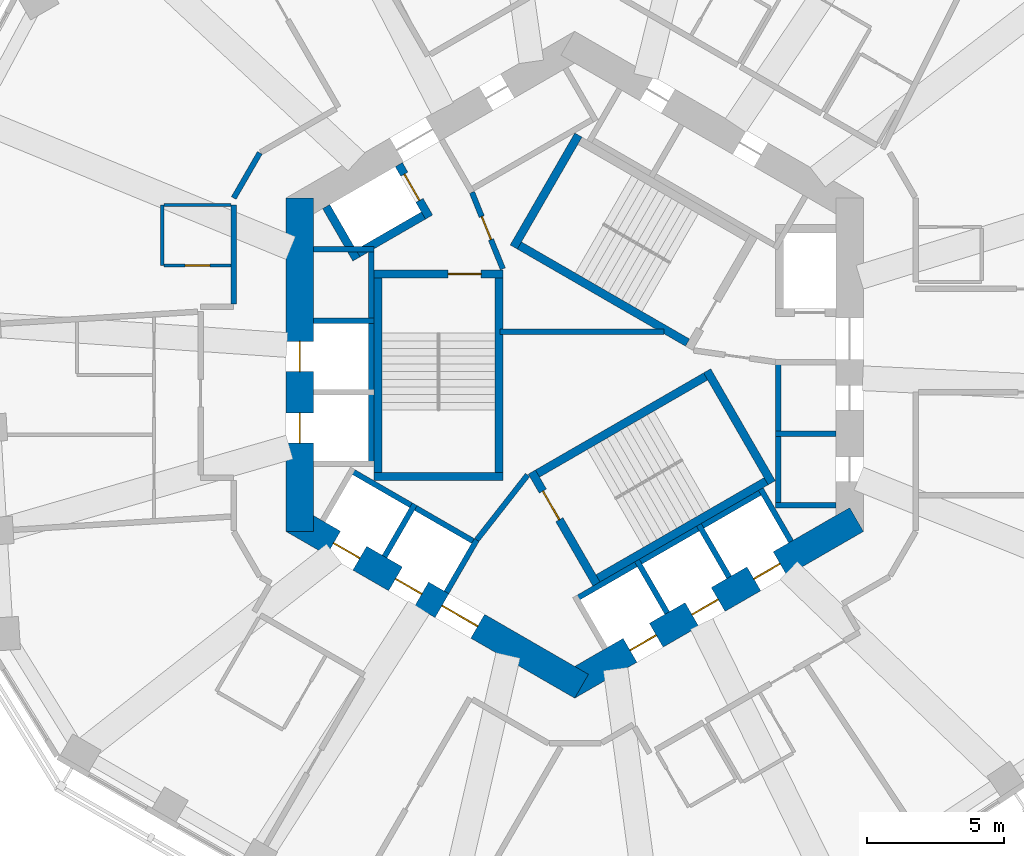
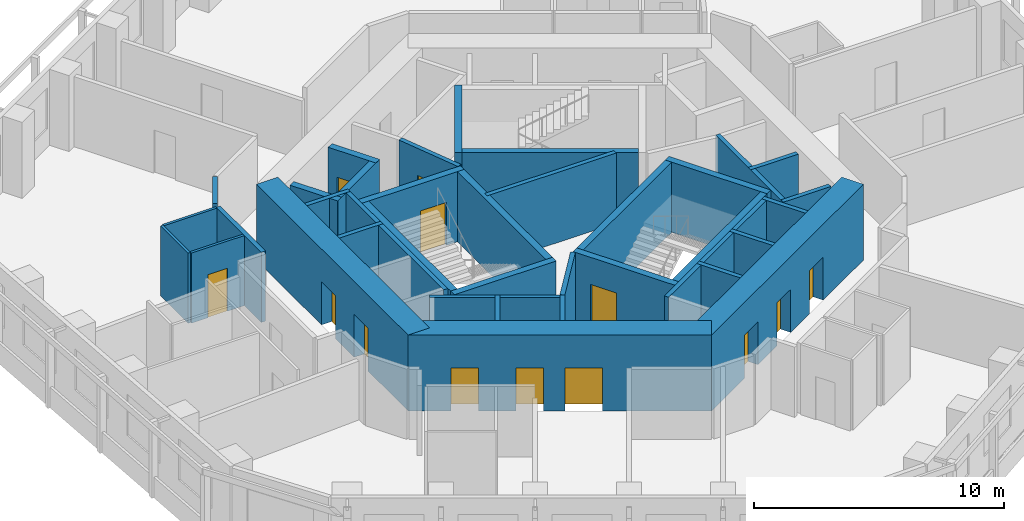
# One storey, part 5 of 11: 37 walls, 13 doors, 13 openings.
"""IFC4 building model written with IfcOpenShell, lengths in metres."""

from ifc_helpers import new_model, si_unit, direction, frame, frame_2d, origin, place, context, subcontext, project, spatial, rectangle, extrude, material, layer, layer_set, type_object, element, fill, save


model = new_model("IFC4")

# Units and contexts
model_context = context("Model", 3, precision=1e-05, world=origin(), true_north=direction((0.0, 1.0)))
body_context = subcontext(model_context, "Body", "Model", "MODEL_VIEW")
ifc_project = project(units=[si_unit("LENGTHUNIT", "METRE"), si_unit("AREAUNIT", "SQUARE_METRE"), si_unit("VOLUMEUNIT", "CUBIC_METRE"), si_unit("PLANEANGLEUNIT", "RADIAN"), si_unit("MASSUNIT", "GRAM", prefix="KILO")], contexts=[model_context])

# Site, building, storey
site_placement = place(None, origin())
site = spatial("IfcSite", under=ifc_project, at=site_placement, CompositionType="ELEMENT")
building_placement = place(site_placement, origin())
building = spatial("IfcBuilding", under=site, at=building_placement, Name="Vanh Sen Convention Tower", CompositionType="ELEMENT")
storey_placement = place(building_placement, frame((0.0, 0.0, 176.199951171875)))
storey = spatial("IfcBuildingStorey", under=building, at=storey_placement, Name="L43", CompositionType="ELEMENT", Elevation=176.199951171875)

# Walls
ifc_material_1 = material(Name="Moisture-resistant gypsum board on steel studs", Category="steel")
ifc_layer_1 = layer(ifc_material_1, 0.1201171875)
ifc_layer_set_1 = layer_set([ifc_layer_1], Name="Moisture-resistant gypsum board on steel studs")
wall_type_1 = type_object("IfcWallType", Name="Bathroom partition 120", PredefinedType="PARTITIONING", material=ifc_layer_set_1)
wall_1_placement = place(storey_placement, frame((-15.0, 3.6123046875, 0.0), z_axis=(0.0, 0.0, 1.0), x_axis=(0.0, 1.0, 0.0)))
element("IfcWall", 1, at=wall_1_placement, inside=storey, type_object=wall_type_1, Name="Bathroom partition 120", PredefinedType="PARTITIONING", context=body_context, shape_type="SweptSolid", body=[
    extrude(rectangle(XDim=2.199951171875, YDim=0.1201171875, at=frame_2d((1.10009765625, 0.0))), origin(), (0.0, 0.0, 1.0), 3.420166015625),
])
wall_2_placement = place(storey_placement, frame((-14.93994140625, 5.812255859375, 0.0), z_axis=(0.0, 0.0, 1.0), x_axis=(1.0, 0.0, 0.0)))
element("IfcWall", 2, at=wall_2_placement, inside=storey, type_object=wall_type_1, Name="Bathroom partition 120", PredefinedType="PARTITIONING", context=body_context, shape_type="SweptSolid", body=[
    extrude(rectangle(XDim=2.43994140625, YDim=0.1201171875, at=frame_2d((1.219970703125, 0.0))), origin(), (0.0, 0.0, 1.0), 3.420166015625),
])

# Wall, opening, door
wall_3_placement = place(storey_placement, frame((-12.5, 3.6123046875, 0.0), z_axis=(0.0, 0.0, 1.0), x_axis=(-1.0, 0.0, 0.0)))
wall_3 = element("IfcWall", 3, at=wall_3_placement, inside=storey, type_object=wall_type_1, Name="Bathroom partition 120", PredefinedType="PARTITIONING", context=body_context, shape_type="SweptSolid", body=[
    extrude(rectangle(XDim=2.43994140625, YDim=0.1201171875, at=frame_2d((1.219970703125, 0.0))), origin(), (0.0, 0.0, 1.0), 3.420166015625),
])
opening_1_placement = place(wall_3_placement, frame((0.77001953125, 0.0, 0.0)))
opening_1 = element("IfcOpeningElement", 4, at=opening_1_placement, cuts=wall_3, Name="Opening D41108", PredefinedType="OPENING", context=body_context, shape_type="SweptSolid", body=[
    extrude(rectangle(XDim=0.89990234375, YDim=2.10009765625, at=frame_2d((0.449951171875, 1.050048828125))), frame((0.0, 0.070068359375, 0.0), z_axis=(0.0, -1.0, 0.0), x_axis=(1.0, 0.0, 0.0)), (0.0, 0.0, 1.0), 0.14013671875),
])
ifc_material_2 = material(Name="Laminate door in steel frame", Category="steel")
door_type_1 = type_object("IfcDoorType", Name="Room internal door 900", OperationType="SINGLE_SWING_LEFT", PredefinedType="DOOR", material=ifc_material_2)
door_1_placement = place(opening_1_placement, origin())
door_1 = element("IfcDoor", 5, at=door_1_placement, inside=storey, type_object=door_type_1, Name="Internal room door D41108", OperationType="SINGLE_SWING_LEFT", OverallHeight=2.10009765625, OverallWidth=0.89990234375, PredefinedType="DOOR", context=body_context, shape_type="SweptSolid", body=[
    extrude(rectangle(XDim=0.89990234375, YDim=2.10009765625, at=frame_2d((0.449951171875, 1.050048828125))), frame((0.0, 0.02490234375, 0.0), z_axis=(0.0, -1.0, 0.0), x_axis=(1.0, 0.0, 0.0)), (0.0, 0.0, 1.0), 0.050048828125),
])
fill(opening_1, door_1)

# Wall, openings, doors
ifc_material_3 = material(Name="Concrete C80/95", Category="concrete")
ifc_layer_2 = layer(ifc_material_3, 1.0)
ifc_layer_set_2 = layer_set([ifc_layer_2], Name="Concrete C80/95")
wall_type_2 = type_object("IfcWallType", Name="Core outer wall 1000 C80/95", PredefinedType="SHEAR", material=ifc_layer_set_2)
wall_4_placement = place(storey_placement, frame((-10.0, 6.062255859375, 0.0), z_axis=(0.0, 0.0, 1.0), x_axis=(0.0, -1.0, 0.0)))
wall_4 = element("IfcWall", 6, at=wall_4_placement, inside=storey, type_object=wall_type_2, Name="Core wall face W L43", PredefinedType="SHEAR", context=body_context, shape_type="SweptSolid", body=[
    extrude(rectangle(XDim=12.12451171875, YDim=1.0, at=frame_2d((6.062255859375, 0.0))), origin(), (0.0, 0.0, 1.0), 3.699951171875),
])
opening_2_placement = place(wall_4_placement, frame((5.212158203125, 0.0, 0.0)))
opening_2 = element("IfcOpeningElement", 7, at=opening_2_placement, cuts=wall_4, Name="Opening LD-HR1", PredefinedType="OPENING", context=body_context, shape_type="SweptSolid", body=[
    extrude(rectangle(XDim=1.10009765625, YDim=2.10009765625, at=frame_2d((0.550048828125, 1.050048828125))), frame((0.0, 0.510009765625, 0.0), z_axis=(0.0, -1.0, 0.0), x_axis=(1.0, 0.0, 0.0)), (0.0, 0.0, 1.0), 1.02001953125),
])
opening_3_placement = place(wall_4_placement, frame((7.812255859375, 0.0, 0.0)))
opening_3 = element("IfcOpeningElement", 8, at=opening_3_placement, cuts=wall_4, Name="Opening LD-HR2", PredefinedType="OPENING", context=body_context, shape_type="SweptSolid", body=[
    extrude(rectangle(XDim=1.10009765625, YDim=2.10009765625, at=frame_2d((0.550048828125, 1.050048828125))), frame((0.0, 0.510009765625, 0.0), z_axis=(0.0, -1.0, 0.0), x_axis=(1.0, 0.0, 0.0)), (0.0, 0.0, 1.0), 1.02001953125),
])
ifc_material_4 = material(Name="Stainless steel", Category="steel")
door_type_2 = type_object("IfcDoorType", Name="Lift landing door 1100", OperationType="DOUBLE_DOOR_SLIDING", PredefinedType="DOOR", material=ifc_material_4)
door_2_placement = place(opening_2_placement, origin())
door_2 = element("IfcDoor", 9, at=door_2_placement, inside=storey, type_object=door_type_2, Name="Lift HR1 landing door LD-HR1", OperationType="DOUBLE_DOOR_SLIDING", OverallHeight=2.10009765625, OverallWidth=1.10009765625, PredefinedType="DOOR", context=body_context, shape_type="SweptSolid", body=[
    extrude(rectangle(XDim=1.10009765625, YDim=2.10009765625, at=frame_2d((0.550048828125, 1.050048828125))), frame((0.0, 0.02490234375, 0.0), z_axis=(0.0, -1.0, 0.0), x_axis=(1.0, 0.0, 0.0)), (0.0, 0.0, 1.0), 0.050048828125),
])
fill(opening_2, door_2)
door_3_placement = place(opening_3_placement, origin())
door_3 = element("IfcDoor", 10, at=door_3_placement, inside=storey, type_object=door_type_2, Name="Lift HR2 landing door LD-HR2", OperationType="DOUBLE_DOOR_SLIDING", OverallHeight=2.10009765625, OverallWidth=1.10009765625, PredefinedType="DOOR", context=body_context, shape_type="SweptSolid", body=[
    extrude(rectangle(XDim=1.10009765625, YDim=2.10009765625, at=frame_2d((0.550048828125, 1.050048828125))), frame((0.0, 0.02490234375, 0.0), z_axis=(0.0, -1.0, 0.0), x_axis=(1.0, 0.0, 0.0)), (0.0, 0.0, 1.0), 0.050048828125),
])
fill(opening_3, door_3)

wall_5_placement = place(storey_placement, frame((-10.25, -5.629150390625, 0.0), z_axis=(0.0, 0.0, 1.0), x_axis=(0.866022616891, -0.50000482701, 0.0)))
wall_5 = element("IfcWall", 11, at=wall_5_placement, inside=storey, type_object=wall_type_2, Name="Core wall face SW L43", PredefinedType="SHEAR", context=body_context, shape_type="SweptSolid", body=[
    extrude(rectangle(XDim=12.12451171875, YDim=1.0, at=frame_2d((6.062255859375, 0.0))), origin(), (0.0, 0.0, 1.0), 3.699951171875),
])
opening_4_placement = place(wall_5_placement, frame((6.26220703125, 0.0, 0.0)))
opening_4 = element("IfcOpeningElement", 12, at=opening_4_placement, cuts=wall_5, Name="Opening D41003", PredefinedType="OPENING", context=body_context, shape_type="SweptSolid", body=[
    extrude(rectangle(XDim=1.5, YDim=2.10009765625, at=frame_2d((0.75, 1.050048828125))), frame((0.0, 0.510009765625, 0.0), z_axis=(0.0, -1.0, 0.0), x_axis=(1.0, 0.0, 0.0)), (0.0, 0.0, 1.0), 1.02001953125),
])
opening_5_placement = place(wall_5_placement, frame((1.712158203125, 0.0, 0.0)))
opening_5 = element("IfcOpeningElement", 13, at=opening_5_placement, cuts=wall_5, Name="Opening LD-HR3", PredefinedType="OPENING", context=body_context, shape_type="SweptSolid", body=[
    extrude(rectangle(XDim=1.10009765625, YDim=2.10009765625, at=frame_2d((0.550048828125, 1.050048828125))), frame((0.0, 0.510009765625, 0.0), z_axis=(0.0, -1.0, 0.0), x_axis=(1.0, 0.0, 0.0)), (0.0, 0.0, 1.0), 1.02001953125),
])
opening_6_placement = place(wall_5_placement, frame((4.312255859375, 0.0, 0.0)))
opening_6 = element("IfcOpeningElement", 14, at=opening_6_placement, cuts=wall_5, Name="Opening LD-HR4", PredefinedType="OPENING", context=body_context, shape_type="SweptSolid", body=[
    extrude(rectangle(XDim=1.10009765625, YDim=2.10009765625, at=frame_2d((0.550048828125, 1.050048828125))), frame((0.0, 0.510009765625, 0.0), z_axis=(0.0, -1.0, 0.0), x_axis=(1.0, 0.0, 0.0)), (0.0, 0.0, 1.0), 1.02001953125),
])
door_4_placement = place(opening_5_placement, origin())
door_4 = element("IfcDoor", 15, at=door_4_placement, inside=storey, type_object=door_type_2, Name="Lift HR3 landing door LD-HR3", OperationType="DOUBLE_DOOR_SLIDING", OverallHeight=2.10009765625, OverallWidth=1.10009765625, PredefinedType="DOOR", context=body_context, shape_type="SweptSolid", body=[
    extrude(rectangle(XDim=1.10009765625, YDim=2.10009765625, at=frame_2d((0.550048828125, 1.050048828125))), frame((0.0, 0.02490234375, 0.0), z_axis=(0.0, -1.0, 0.0), x_axis=(1.0, 0.0, 0.0)), (0.0, 0.0, 1.0), 0.050048828125),
])
fill(opening_5, door_4)
door_5_placement = place(opening_6_placement, origin())
door_5 = element("IfcDoor", 16, at=door_5_placement, inside=storey, type_object=door_type_2, Name="Lift HR4 landing door LD-HR4", OperationType="DOUBLE_DOOR_SLIDING", OverallHeight=2.10009765625, OverallWidth=1.10009765625, PredefinedType="DOOR", context=body_context, shape_type="SweptSolid", body=[
    extrude(rectangle(XDim=1.10009765625, YDim=2.10009765625, at=frame_2d((0.550048828125, 1.050048828125))), frame((0.0, 0.02490234375, 0.0), z_axis=(0.0, -1.0, 0.0), x_axis=(1.0, 0.0, 0.0)), (0.0, 0.0, 1.0), 0.050048828125),
])
fill(opening_6, door_5)
ifc_material_5 = material(Name="Steel S355", Category="steel")
door_type_3 = type_object("IfcDoorType", Name="Stair lobby door 1500", OperationType="DOUBLE_DOOR_SINGLE_SWING", PredefinedType="DOOR", material=ifc_material_5)
door_6_placement = place(opening_4_placement, origin())
door_6 = element("IfcDoor", 17, at=door_6_placement, inside=storey, type_object=door_type_3, Name="Stair lobby door D41003", OperationType="DOUBLE_DOOR_SINGLE_SWING", OverallHeight=2.10009765625, OverallWidth=1.5, PredefinedType="DOOR", context=body_context, shape_type="SweptSolid", body=[
    extrude(rectangle(XDim=1.5, YDim=2.10009765625, at=frame_2d((0.75, 1.050048828125))), frame((0.0, 0.02490234375, 0.0), z_axis=(0.0, -1.0, 0.0), x_axis=(1.0, 0.0, 0.0)), (0.0, 0.0, 1.0), 0.050048828125),
])
fill(opening_4, door_6)

wall_6_placement = place(storey_placement, frame((-0.25, -11.69140625, 0.0), z_axis=(0.0, 0.0, 1.0), x_axis=(0.866022616891, 0.50000482701, 0.0)))
wall_6 = element("IfcWall", 18, at=wall_6_placement, inside=storey, type_object=wall_type_2, Name="Core wall face SE L43", PredefinedType="SHEAR", context=body_context, shape_type="SweptSolid", body=[
    extrude(rectangle(XDim=12.12451171875, YDim=1.0, at=frame_2d((6.062255859375, 0.0))), origin(), (0.0, 0.0, 1.0), 3.699951171875),
])
opening_7_placement = place(wall_6_placement, frame((2.6123046875, 0.0, 0.0)))
opening_7 = element("IfcOpeningElement", 19, at=opening_7_placement, cuts=wall_6, Name="Opening LD-HR5", PredefinedType="OPENING", context=body_context, shape_type="SweptSolid", body=[
    extrude(rectangle(XDim=1.10009765625, YDim=2.10009765625, at=frame_2d((0.550048828125, 1.050048828125))), frame((0.0, 0.510009765625, 0.0), z_axis=(0.0, -1.0, 0.0), x_axis=(1.0, 0.0, 0.0)), (0.0, 0.0, 1.0), 1.02001953125),
])
opening_8_placement = place(wall_6_placement, frame((5.212158203125, 0.0, 0.0)))
opening_8 = element("IfcOpeningElement", 20, at=opening_8_placement, cuts=wall_6, Name="Opening LD-HR6", PredefinedType="OPENING", context=body_context, shape_type="SweptSolid", body=[
    extrude(rectangle(XDim=1.10009765625, YDim=2.10009765625, at=frame_2d((0.550048828125, 1.050048828125))), frame((0.0, 0.510009765625, 0.0), z_axis=(0.0, -1.0, 0.0), x_axis=(1.0, 0.0, 0.0)), (0.0, 0.0, 1.0), 1.02001953125),
])
opening_9_placement = place(wall_6_placement, frame((7.812255859375, 0.0, 0.0)))
opening_9 = element("IfcOpeningElement", 21, at=opening_9_placement, cuts=wall_6, Name="Opening LD-SV1", PredefinedType="OPENING", context=body_context, shape_type="SweptSolid", body=[
    extrude(rectangle(XDim=1.10009765625, YDim=2.10009765625, at=frame_2d((0.550048828125, 1.050048828125))), frame((0.0, 0.510009765625, 0.0), z_axis=(0.0, -1.0, 0.0), x_axis=(1.0, 0.0, 0.0)), (0.0, 0.0, 1.0), 1.02001953125),
])
door_7_placement = place(opening_7_placement, origin())
door_7 = element("IfcDoor", 22, at=door_7_placement, inside=storey, type_object=door_type_2, Name="Lift HR5 landing door LD-HR5", OperationType="DOUBLE_DOOR_SLIDING", OverallHeight=2.10009765625, OverallWidth=1.10009765625, PredefinedType="DOOR", context=body_context, shape_type="SweptSolid", body=[
    extrude(rectangle(XDim=1.10009765625, YDim=2.10009765625, at=frame_2d((0.550048828125, 1.050048828125))), frame((0.0, 0.02490234375, 0.0), z_axis=(0.0, -1.0, 0.0), x_axis=(1.0, 0.0, 0.0)), (0.0, 0.0, 1.0), 0.050048828125),
])
fill(opening_7, door_7)
door_8_placement = place(opening_8_placement, origin())
door_8 = element("IfcDoor", 23, at=door_8_placement, inside=storey, type_object=door_type_2, Name="Lift HR6 landing door LD-HR6", OperationType="DOUBLE_DOOR_SLIDING", OverallHeight=2.10009765625, OverallWidth=1.10009765625, PredefinedType="DOOR", context=body_context, shape_type="SweptSolid", body=[
    extrude(rectangle(XDim=1.10009765625, YDim=2.10009765625, at=frame_2d((0.550048828125, 1.050048828125))), frame((0.0, 0.02490234375, 0.0), z_axis=(0.0, -1.0, 0.0), x_axis=(1.0, 0.0, 0.0)), (0.0, 0.0, 1.0), 0.050048828125),
])
fill(opening_8, door_8)
door_9_placement = place(opening_9_placement, origin())
door_9 = element("IfcDoor", 24, at=door_9_placement, inside=storey, type_object=door_type_2, Name="Lift SV1 landing door LD-SV1", OperationType="DOUBLE_DOOR_SLIDING", OverallHeight=2.10009765625, OverallWidth=1.10009765625, PredefinedType="DOOR", context=body_context, shape_type="SweptSolid", body=[
    extrude(rectangle(XDim=1.10009765625, YDim=2.10009765625, at=frame_2d((0.550048828125, 1.050048828125))), frame((0.0, 0.02490234375, 0.0), z_axis=(0.0, -1.0, 0.0), x_axis=(1.0, 0.0, 0.0)), (0.0, 0.0, 1.0), 0.050048828125),
])
fill(opening_9, door_9)

# Walls
ifc_material_6 = material(Name="Masonry blockwork", Category="masonry")
ifc_layer_3 = layer(ifc_material_6, 0.199951171875)
ifc_layer_set_3 = layer_set([ifc_layer_3], Name="Masonry blockwork")
wall_type_3 = type_object("IfcWallType", Name="Core partition 200", PredefinedType="PARTITIONING", material=ifc_layer_set_3)
wall_7_placement = place(storey_placement, frame((-2.719970703125, 1.199951171875, 0.0), z_axis=(0.0, 0.0, 1.0), x_axis=(1.0, 0.0, 0.0)))
element("IfcWall", 25, at=wall_7_placement, inside=storey, type_object=wall_type_3, Name="Core partition L43", PredefinedType="PARTITIONING", context=body_context, shape_type="SweptSolid", body=[
    extrude(rectangle(XDim=5.96142578125, YDim=0.199951171875, at=frame_2d((2.980712890625, 0.0))), origin(), (0.0, 0.0, 1.0), 3.420166015625),
])
ifc_material_7 = material(Name="Gypsum board on steel studs with mineral wool", Category="steel")
ifc_layer_4 = layer(ifc_material_7, 0.199951171875)
ifc_layer_set_4 = layer_set([ifc_layer_4], Name="Gypsum board on steel studs with mineral wool")
wall_type_4 = type_object("IfcWallType", Name="Corridor partition wall 200", PredefinedType="PARTITIONING", material=ifc_layer_set_4)
wall_8_placement = place(storey_placement, frame((-12.39990234375, 5.812255859375, 0.0), z_axis=(0.0, 0.0, 1.0), x_axis=(0.0, -1.0, 0.0)))
element("IfcWall", 26, at=wall_8_placement, inside=storey, type_object=wall_type_4, Name="Corridor partition wall 200", PredefinedType="PARTITIONING", context=body_context, shape_type="SweptSolid", body=[
    extrude(rectangle(XDim=3.611328125, YDim=0.199951171875, at=frame_2d((1.8056640625, 0.0))), origin(), (0.0, 0.0, 1.0), 3.420166015625),
])
wall_9_placement = place(storey_placement, frame((-11.449951171875, 7.70751953125, 0.0), z_axis=(0.0, 0.0, 1.0), x_axis=(-0.500022797313, -0.86601224135, 0.0)))
element("IfcWall", 27, at=wall_9_placement, inside=storey, type_object=wall_type_4, Name="Corridor partition wall 200", PredefinedType="PARTITIONING", context=body_context, shape_type="SweptSolid", body=[
    extrude(rectangle(XDim=1.89990234375, YDim=0.199951171875, at=frame_2d((0.949951171875, 0.0))), origin(), (0.0, 0.0, 1.0), 3.420166015625),
])

# Wall, opening, door
ifc_material_8 = material(Name="Concrete C60/75", Category="concrete")
ifc_layer_5 = layer(ifc_material_8, 0.300048828125)
ifc_layer_set_5 = layer_set([ifc_layer_5], Name="Concrete C60/75")
wall_type_5 = type_object("IfcWallType", Name="Fire-fighting lift shaft wall 300", PredefinedType="SHEAR", material=ifc_layer_set_5)
wall_10_placement = place(storey_placement, frame((-5.29541015625, 5.3720703125, 0.0), z_axis=(0.0, 0.0, 1.0), x_axis=(-0.500077893725, 0.86598042715, 0.0)))
wall_10 = element("IfcWall", 28, at=wall_10_placement, inside=storey, type_object=wall_type_5, Name="Fire-fighting lift shaft wall L43", PredefinedType="SHEAR", context=body_context, shape_type="SweptSolid", body=[
    extrude(rectangle(XDim=2.199951171875, YDim=0.300048828125, at=frame_2d((1.10009765625, 0.0))), origin(), (0.0, 0.0, 1.0), 3.420166015625),
])
opening_10_placement = place(wall_10_placement, frame((0.699951171875, 0.0, 0.0)))
opening_10 = element("IfcOpeningElement", 29, at=opening_10_placement, cuts=wall_10, Name="Opening LD-FF2", PredefinedType="OPENING", context=body_context, shape_type="SweptSolid", body=[
    extrude(rectangle(XDim=1.10009765625, YDim=2.10009765625, at=frame_2d((0.550048828125, 1.050048828125))), frame((0.0, 0.159912109375, 0.0), z_axis=(0.0, -1.0, 0.0), x_axis=(1.0, 0.0, 0.0)), (0.0, 0.0, 1.0), 0.320068359375),
])
door_type_4 = type_object("IfcDoorType", Name="Fire-fighting lift landing door 1100", OperationType="DOUBLE_DOOR_SLIDING", PredefinedType="DOOR", material=ifc_material_4)
door_10_placement = place(opening_10_placement, origin())
door_10 = element("IfcDoor", 30, at=door_10_placement, inside=storey, type_object=door_type_4, Name="Lift FF2 landing door LD-FF2", OperationType="DOUBLE_DOOR_SLIDING", OverallHeight=2.10009765625, OverallWidth=1.10009765625, PredefinedType="DOOR", context=body_context, shape_type="SweptSolid", body=[
    extrude(rectangle(XDim=1.10009765625, YDim=2.10009765625, at=frame_2d((0.550048828125, 1.050048828125))), frame((0.0, 0.02490234375, 0.0), z_axis=(0.0, -1.0, 0.0), x_axis=(1.0, 0.0, 0.0)), (0.0, 0.0, 1.0), 0.050048828125),
])
fill(opening_10, door_10)

# Walls
wall_11_placement = place(storey_placement, frame((-5.240478515625, 5.576904296875, 0.0), z_axis=(0.0, 0.0, 1.0), x_axis=(-0.866014461049, -0.500018952895, 0.0)))
element("IfcWall", 31, at=wall_11_placement, inside=storey, type_object=wall_type_5, Name="Fire-fighting lift shaft wall L43", PredefinedType="SHEAR", context=body_context, shape_type="SweptSolid", body=[
    extrude(rectangle(XDim=3.349853515625, YDim=0.300048828125, at=frame_2d((1.6748046875, 0.0))), origin(), (0.0, 0.0, 1.0), 3.420166015625),
])
wall_12_placement = place(storey_placement, frame((-7.936767578125, 3.846923828125, 0.0), z_axis=(0.0, 0.0, 1.0), x_axis=(-0.50002983664, 0.866008176907, 0.0)))
element("IfcWall", 32, at=wall_12_placement, inside=storey, type_object=wall_type_5, Name="Fire-fighting lift shaft wall L43", PredefinedType="SHEAR", context=body_context, shape_type="SweptSolid", body=[
    extrude(rectangle(XDim=2.199951171875, YDim=0.300048828125, at=frame_2d((1.10009765625, 0.0))), origin(), (0.0, 0.0, 1.0), 3.420166015625),
])
ifc_material_9 = material(Name="Concrete C40/50", Category="concrete")
ifc_layer_6 = layer(ifc_material_9, 0.199951171875)
ifc_layer_set_6 = layer_set([ifc_layer_6], Name="Concrete C40/50")
wall_type_6 = type_object("IfcWallType", Name="Lift shaft wall 200", PredefinedType="PARTITIONING", material=ifc_layer_set_6)
wall_13_placement = place(storey_placement, frame((7.39990234375, -5.199951171875, 0.0), z_axis=(0.0, 0.0, 1.0), x_axis=(0.0, 1.0, 0.0)))
element("IfcWall", 33, at=wall_13_placement, inside=storey, type_object=wall_type_6, Name="Lift shaft wall L43", PredefinedType="PARTITIONING", context=body_context, shape_type="SweptSolid", body=[
    extrude(rectangle(XDim=5.39990234375, YDim=0.199951171875, at=frame_2d((2.699951171875, 0.0))), origin(), (0.0, 0.0, 1.0), 3.420166015625),
])
for number, where, z_axis, x_axis, name in (
    (34, (7.300048828125, -5.10009765625, 0.0), (0.0, 0.0, 1.0), (1.0, 0.0, 0.0), "Lift shaft wall L43"),
    (35, (7.300048828125, -2.5, 0.0), (0.0, 0.0, 1.0), (1.0, 0.0, 0.0), "Lift shaft wall L43"),
):
    element("IfcWall", number, at=place(storey_placement, frame(where, z_axis=z_axis, x_axis=x_axis)), inside=storey, type_object=wall_type_6, Name=name, PredefinedType="PARTITIONING", context=body_context, shape_type="SweptSolid", body=[
        extrude(rectangle(XDim=2.199951171875, YDim=0.199951171875, at=frame_2d((1.10009765625, 0.0))), origin(), (0.0, 0.0, 1.0), 3.420166015625),
    ])
wall_14_placement = place(storey_placement, frame((-7.39990234375, 4.300048828125, 0.0), z_axis=(0.0, 0.0, 1.0), x_axis=(0.0, -1.0, 0.0)))
element("IfcWall", 36, at=wall_14_placement, inside=storey, type_object=wall_type_6, Name="Lift shaft wall L43", PredefinedType="PARTITIONING", context=body_context, shape_type="SweptSolid", body=[
    extrude(rectangle(XDim=8.0, YDim=0.199951171875, at=frame_2d((4.0, 0.0))), origin(), (0.0, 0.0, 1.0), 3.420166015625),
])
for number, where, z_axis, x_axis, name in (
    (37, (-7.300048828125, 4.199951171875, 0.0), (0.0, 0.0, 1.0), (-1.0, 0.0, 0.0), "Lift shaft wall L43"),
    (38, (-7.300048828125, 1.60009765625, 0.0), (0.0, 0.0, 1.0), (-1.0, 0.0, 0.0), "Lift shaft wall L43"),
):
    element("IfcWall", number, at=place(storey_placement, frame(where, z_axis=z_axis, x_axis=x_axis)), inside=storey, type_object=wall_type_6, Name=name, PredefinedType="PARTITIONING", context=body_context, shape_type="SweptSolid", body=[
        extrude(rectangle(XDim=2.199951171875, YDim=0.199951171875, at=frame_2d((1.10009765625, 0.0))), origin(), (0.0, 0.0, 1.0), 3.420166015625),
    ])
wall_15_placement = place(storey_placement, frame((-8.203369140625, -3.80859375, 0.0), z_axis=(0.0, 0.0, 1.0), x_axis=(0.866028230842, -0.499995103361, 0.0)))
element("IfcWall", 39, at=wall_15_placement, inside=storey, type_object=wall_type_6, Name="Lift shaft wall L43", PredefinedType="PARTITIONING", context=body_context, shape_type="SweptSolid", body=[
    extrude(rectangle(XDim=5.39990234375, YDim=0.199951171875, at=frame_2d((2.699951171875, 0.0))), origin(), (0.0, 0.0, 1.0), 3.420166015625),
])
wall_16_placement = place(storey_placement, frame((-5.815185546875, -5.072021484375, 0.0), z_axis=(0.0, 0.0, 1.0), x_axis=(-0.499946605688, -0.86605622881, 0.0)))
element("IfcWall", 40, at=wall_16_placement, inside=storey, type_object=wall_type_6, Name="Lift shaft wall L43", PredefinedType="PARTITIONING", context=body_context, shape_type="SweptSolid", body=[
    extrude(rectangle(XDim=2.199951171875, YDim=0.199951171875, at=frame_2d((1.10009765625, 0.0))), origin(), (0.0, 0.0, 1.0), 3.420166015625),
])
wall_17_placement = place(storey_placement, frame((-3.5634765625, -6.3720703125, 0.0), z_axis=(0.0, 0.0, 1.0), x_axis=(-0.499994660107, -0.866028486751, 0.0)))
element("IfcWall", 41, at=wall_17_placement, inside=storey, type_object=wall_type_6, Name="Lift shaft wall L43", PredefinedType="PARTITIONING", context=body_context, shape_type="SweptSolid", body=[
    extrude(rectangle(XDim=2.19970703125, YDim=0.199951171875, at=frame_2d((1.099853515625, 0.0))), origin(), (0.0, 0.0, 1.0), 3.420166015625),
])
wall_18_placement = place(storey_placement, frame((-0.02392578125, -8.55859375, 0.0), z_axis=(0.0, 0.0, 1.0), x_axis=(0.866026010844, 0.49999894854, 0.0)))
element("IfcWall", 42, at=wall_18_placement, inside=storey, type_object=wall_type_6, Name="Lift shaft wall L43", PredefinedType="PARTITIONING", context=body_context, shape_type="SweptSolid", body=[
    extrude(rectangle(XDim=8.0, YDim=0.199951171875, at=frame_2d((4.0, 0.0))), origin(), (0.0, 0.0, 1.0), 3.420166015625),
])
for number, where, z_axis, x_axis, name in (
    (43, (2.264404296875, -7.1220703125, 0.0), (0.0, 0.0, 1.0), (0.500077893725, -0.86598042715, 0.0), "Lift shaft wall L43"),
    (44, (4.51611328125, -5.822021484375, 0.0), (0.0, 0.0, 1.0), (0.499946605688, -0.86605622881, 0.0), "Lift shaft wall L43"),
    (45, (6.767578125, -4.52197265625, 0.0), (0.0, 0.0, 1.0), (0.50002983664, -0.866008176907, 0.0), "Lift shaft wall L43"),
):
    element("IfcWall", number, at=place(storey_placement, frame(where, z_axis=z_axis, x_axis=x_axis)), inside=storey, type_object=wall_type_6, Name=name, PredefinedType="PARTITIONING", context=body_context, shape_type="SweptSolid", body=[
        extrude(rectangle(XDim=2.199951171875, YDim=0.199951171875, at=frame_2d((1.10009765625, 0.0))), origin(), (0.0, 0.0, 1.0), 3.420166015625),
    ])

# Wall, opening, door
ifc_layer_7 = layer(ifc_material_9, 0.199951171875)
ifc_layer_set_7 = layer_set([ifc_layer_7], Name="Concrete C40/50")
wall_type_7 = type_object("IfcWallType", Name="Stair lobby wall 200", PredefinedType="PARTITIONING", material=ifc_layer_set_7)
wall_19_placement = place(storey_placement, frame((-2.614990234375, 3.487060546875, 0.0), z_axis=(0.0, 0.0, 1.0), x_axis=(-0.373576831041, 0.92759924068, 0.0)))
wall_19 = element("IfcWall", 46, at=wall_19_placement, inside=storey, type_object=wall_type_7, Name="Stair lobby wall L43", PredefinedType="PARTITIONING", context=body_context, shape_type="SweptSolid", body=[
    extrude(rectangle(XDim=3.002197265625, YDim=0.199951171875, at=frame_2d((1.5009765625, 0.0))), origin(), (0.0, 0.0, 1.0), 3.420166015625),
])
opening_11_placement = place(wall_19_placement, frame((1.14990234375, 0.0, 0.0)))
opening_11 = element("IfcOpeningElement", 47, at=opening_11_placement, cuts=wall_19, Name="Opening D41008", PredefinedType="OPENING", context=body_context, shape_type="SweptSolid", body=[
    extrude(rectangle(XDim=0.89990234375, YDim=2.10009765625, at=frame_2d((0.449951171875, 1.050048828125))), frame((0.0, 0.10986328125, 0.0), z_axis=(0.0, -1.0, 0.0), x_axis=(1.0, 0.0, 0.0)), (0.0, 0.0, 1.0), 0.219970703125),
])
door_type_5 = type_object("IfcDoorType", Name="Plant door 900", OperationType="SINGLE_SWING_LEFT", PredefinedType="DOOR", material=ifc_material_5)
door_11_placement = place(opening_11_placement, origin())
door_11 = element("IfcDoor", 48, at=door_11_placement, inside=storey, type_object=door_type_5, Name="Plant door D41008", OperationType="SINGLE_SWING_LEFT", OverallHeight=2.10009765625, OverallWidth=0.89990234375, PredefinedType="DOOR", context=body_context, shape_type="SweptSolid", body=[
    extrude(rectangle(XDim=0.89990234375, YDim=2.10009765625, at=frame_2d((0.449951171875, 1.050048828125))), frame((0.0, 0.02490234375, 0.0), z_axis=(0.0, -1.0, 0.0), x_axis=(1.0, 0.0, 0.0)), (0.0, 0.0, 1.0), 0.050048828125),
])
fill(opening_11, door_11)

# Walls
wall_20_placement = place(storey_placement, frame((-1.71240234375, -4.00830078125, 0.0), z_axis=(0.0, 0.0, 1.0), x_axis=(-0.616549420702, -0.787316208287, 0.0)))
element("IfcWall", 49, at=wall_20_placement, inside=storey, type_object=wall_type_7, Name="Stair lobby wall L43", PredefinedType="PARTITIONING", context=body_context, shape_type="SweptSolid", body=[
    extrude(rectangle(XDim=3.002197265625, YDim=0.199951171875, at=frame_2d((1.5009765625, 0.0))), origin(), (0.0, 0.0, 1.0), 3.420166015625),
])
ifc_layer_8 = layer(ifc_material_8, 0.300048828125)
ifc_layer_set_8 = layer_set([ifc_layer_8], Name="Concrete C60/75")
wall_type_8 = type_object("IfcWallType", Name="Stair wall 300", PredefinedType="SHEAR", material=ifc_layer_set_8)
wall_21_placement = place(storey_placement, frame((-2.216064453125, 4.28173828125, 0.0), z_axis=(0.0, 0.0, 1.0), x_axis=(0.499977259774, 0.866038532462, 0.0)))
element("IfcWall", 50, at=wall_21_placement, inside=storey, type_object=wall_type_8, Name="Stair wall L43", PredefinedType="SHEAR", context=body_context, shape_type="SweptSolid", body=[
    extrude(rectangle(XDim=4.699951171875, YDim=0.300048828125, at=frame_2d((2.35009765625, 0.0))), origin(), (0.0, 0.0, 1.0), 3.420166015625),
])
wall_22_placement = place(storey_placement, frame((4.10302734375, 0.806640625, 0.0), z_axis=(0.0, 0.0, 1.0), x_axis=(-0.866027801685, 0.499995846692, 0.0)))
element("IfcWall", 51, at=wall_22_placement, inside=storey, type_object=wall_type_8, Name="Stair wall L43", PredefinedType="SHEAR", context=body_context, shape_type="SweptSolid", body=[
    extrude(rectangle(XDim=7.06005859375, YDim=0.300048828125, at=frame_2d((3.530029296875, 0.0))), origin(), (0.0, 0.0, 1.0), 3.420166015625),
])

# Wall, opening, door
wall_23_placement = place(storey_placement, frame((-2.60009765625, 3.300048828125, 0.0), z_axis=(0.0, 0.0, 1.0), x_axis=(-1.0, 0.0, 0.0)))
wall_23 = element("IfcWall", 52, at=wall_23_placement, inside=storey, type_object=wall_type_8, Name="Stair wall L43", PredefinedType="SHEAR", context=body_context, shape_type="SweptSolid", body=[
    extrude(rectangle(XDim=4.699951171875, YDim=0.300048828125, at=frame_2d((2.35009765625, 0.0))), origin(), (0.0, 0.0, 1.0), 3.420166015625),
])
opening_12_placement = place(wall_23_placement, frame((0.800048828125, 0.0, 0.0)))
opening_12 = element("IfcOpeningElement", 53, at=opening_12_placement, cuts=wall_23, Name="Opening D41005", PredefinedType="OPENING", context=body_context, shape_type="SweptSolid", body=[
    extrude(rectangle(XDim=1.199951171875, YDim=2.10009765625, at=frame_2d((0.60009765625, 1.050048828125))), frame((0.0, 0.159912109375, 0.0), z_axis=(0.0, -1.0, 0.0), x_axis=(1.0, 0.0, 0.0)), (0.0, 0.0, 1.0), 0.320068359375),
])
door_type_6 = type_object("IfcDoorType", Name="Stair door 1200", OperationType="SINGLE_SWING_RIGHT", PredefinedType="DOOR", material=ifc_material_5)
door_12_placement = place(opening_12_placement, origin())
door_12 = element("IfcDoor", 54, at=door_12_placement, inside=storey, type_object=door_type_6, Name="Stair ST2 door D41005", OperationType="SINGLE_SWING_RIGHT", OverallHeight=2.10009765625, OverallWidth=1.199951171875, PredefinedType="DOOR", context=body_context, shape_type="SweptSolid", body=[
    extrude(rectangle(XDim=1.199951171875, YDim=2.10009765625, at=frame_2d((0.60009765625, 1.050048828125))), frame((0.0, 0.02490234375, 0.0), z_axis=(0.0, -1.0, 0.0), x_axis=(1.0, 0.0, 0.0)), (0.0, 0.0, 1.0), 0.050048828125),
])
fill(opening_12, door_12)

# Walls
wall_24_placement = place(storey_placement, frame((-2.60009765625, -4.06005859375, 0.0), z_axis=(0.0, 0.0, 1.0), x_axis=(-1.0, 0.0, 0.0)))
element("IfcWall", 55, at=wall_24_placement, inside=storey, type_object=wall_type_8, Name="Stair wall L43", PredefinedType="SHEAR", context=body_context, shape_type="SweptSolid", body=[
    extrude(rectangle(XDim=4.699951171875, YDim=0.300048828125, at=frame_2d((2.35009765625, 0.0))), origin(), (0.0, 0.0, 1.0), 3.420166015625),
])
for number, where, z_axis, x_axis, name in (
    (56, (-2.75, 3.14990234375, 0.0), (0.0, 0.0, 1.0), (0.0, -1.0, 0.0), "Stair wall L43"),
    (57, (-7.14990234375, 3.14990234375, 0.0), (0.0, 0.0, 1.0), (0.0, -1.0, 0.0), "Stair wall L43"),
):
    element("IfcWall", number, at=place(storey_placement, frame(where, z_axis=z_axis, x_axis=x_axis)), inside=storey, type_object=wall_type_8, Name=name, PredefinedType="SHEAR", context=body_context, shape_type="SweptSolid", body=[
        extrude(rectangle(XDim=7.059814453125, YDim=0.300048828125, at=frame_2d((3.52978515625, 0.0))), origin(), (0.0, 0.0, 1.0), 3.420166015625),
    ])

# Wall, opening, door
wall_25_placement = place(storey_placement, frame((-1.557861328125, -3.901611328125, 0.0), z_axis=(0.0, 0.0, 1.0), x_axis=(0.499977259774, -0.866038532462, 0.0)))
wall_25 = element("IfcWall", 58, at=wall_25_placement, inside=storey, type_object=wall_type_8, Name="Stair wall L43", PredefinedType="SHEAR", context=body_context, shape_type="SweptSolid", body=[
    extrude(rectangle(XDim=4.699951171875, YDim=0.300048828125, at=frame_2d((2.35009765625, 0.0))), origin(), (0.0, 0.0, 1.0), 3.420166015625),
])
opening_13_placement = place(wall_25_placement, frame((0.800048828125, 0.0, 0.0)))
opening_13 = element("IfcOpeningElement", 59, at=opening_13_placement, cuts=wall_25, Name="Opening D41006", PredefinedType="OPENING", context=body_context, shape_type="SweptSolid", body=[
    extrude(rectangle(XDim=1.199951171875, YDim=2.10009765625, at=frame_2d((0.60009765625, 1.050048828125))), frame((0.0, 0.159912109375, 0.0), z_axis=(0.0, -1.0, 0.0), x_axis=(1.0, 0.0, 0.0)), (0.0, 0.0, 1.0), 0.320068359375),
])
door_13_placement = place(opening_13_placement, origin())
door_13 = element("IfcDoor", 60, at=door_13_placement, inside=storey, type_object=door_type_6, Name="Stair ST3 door D41006", OperationType="SINGLE_SWING_RIGHT", OverallHeight=2.10009765625, OverallWidth=1.199951171875, PredefinedType="DOOR", context=body_context, shape_type="SweptSolid", body=[
    extrude(rectangle(XDim=1.199951171875, YDim=2.10009765625, at=frame_2d((0.60009765625, 1.050048828125))), frame((0.0, 0.02490234375, 0.0), z_axis=(0.0, -1.0, 0.0), x_axis=(1.0, 0.0, 0.0)), (0.0, 0.0, 1.0), 0.050048828125),
])
fill(opening_13, door_13)

# Walls
wall_26_placement = place(storey_placement, frame((4.816162109375, -0.2216796875, 0.0), z_axis=(0.0, 0.0, 1.0), x_axis=(0.499977259774, -0.866038532462, 0.0)))
element("IfcWall", 61, at=wall_26_placement, inside=storey, type_object=wall_type_8, Name="Stair wall L43", PredefinedType="SHEAR", context=body_context, shape_type="SweptSolid", body=[
    extrude(rectangle(XDim=4.699951171875, YDim=0.300048828125, at=frame_2d((2.35009765625, 0.0))), origin(), (0.0, 0.0, 1.0), 3.420166015625),
])
for number, where, z_axis, x_axis, name in (
    (62, (-1.35302734375, -3.95654296875, 0.0), (0.0, 0.0, 1.0), (0.866027801685, 0.499995846692, 0.0), "Stair wall L43"),
    (63, (0.846923828125, -7.76708984375, 0.0), (0.0, 0.0, 1.0), (0.866027801685, 0.499995846692, 0.0), "Stair wall L43"),
):
    element("IfcWall", number, at=place(storey_placement, frame(where, z_axis=z_axis, x_axis=x_axis)), inside=storey, type_object=wall_type_8, Name=name, PredefinedType="SHEAR", context=body_context, shape_type="SweptSolid", body=[
        extrude(rectangle(XDim=7.06005859375, YDim=0.300048828125, at=frame_2d((3.530029296875, 0.0))), origin(), (0.0, 0.0, 1.0), 3.420166015625),
    ])

save(model, "model.ifc")
